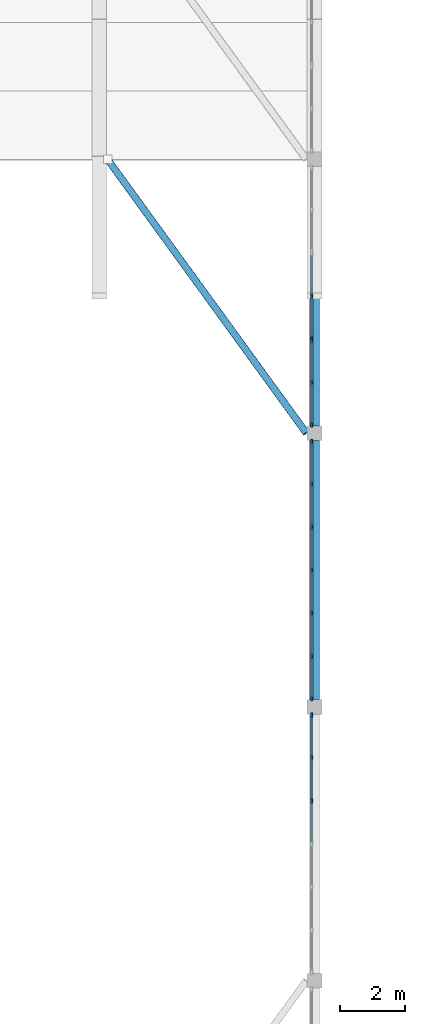
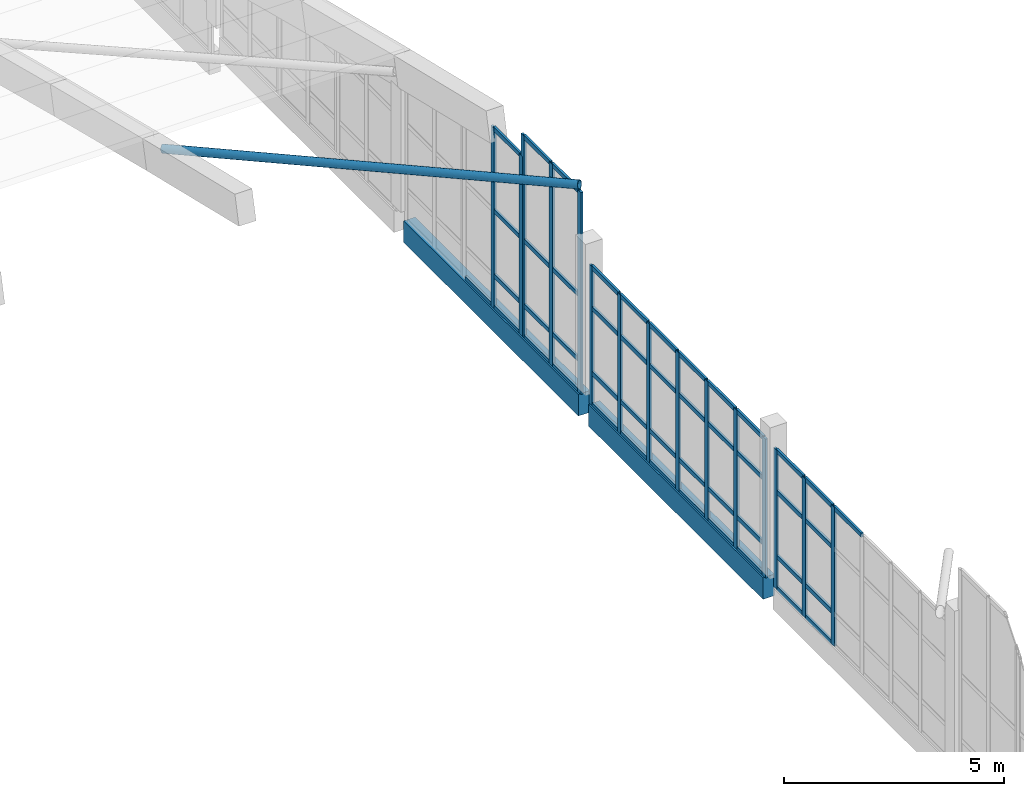
# One storey, part 10 of 78: 62 members, 2 beams, 4 elements without a shape of their own.
"""IFC4 building model written with IfcOpenShell, lengths in metres."""

from ifc_helpers import new_model, si_unit, direction, frame, origin, origin_2d, place, context, subcontext, project, spatial, rectangle, hollow_circle, extrude, material, material_profile, profile_set, type_object, element, aggregate, save


model = new_model("IFC4")

# Units and contexts
model_context = context("Model", 3, precision=1e-05, world=origin(), true_north=direction((0.0, 1.0)))
body_context = subcontext(model_context, "Body", "Model", "MODEL_VIEW")
ifc_project = project(units=[si_unit("LENGTHUNIT", "METRE"), si_unit("AREAUNIT", "SQUARE_METRE"), si_unit("VOLUMEUNIT", "CUBIC_METRE"), si_unit("PLANEANGLEUNIT", "RADIAN"), si_unit("MASSUNIT", "GRAM", prefix="KILO")], contexts=[model_context])

# Site, building, storey
site_placement = place(None, origin())
site = spatial("IfcSite", under=ifc_project, at=site_placement, CompositionType="ELEMENT")
building_placement = place(site_placement, origin())
building = spatial("IfcBuilding", under=site, at=building_placement, Name="Qaldarim Faculty of Natural and Applied Sciences", CompositionType="ELEMENT")
storey_placement = place(building_placement, frame((0.0, 0.0, 18.60009765625)))
storey = spatial("IfcBuildingStorey", under=building, at=storey_placement, Name="L04", CompositionType="ELEMENT", Elevation=18.60009765625)

# Curtain wall, members
ifc_material_1 = material(Name="Anodised aluminium AW-6063", Category="aluminium")
curtain_wall_type = type_object("IfcCurtainWallType", Name="CurtainWallSystem-M1300", PredefinedType="USERDEFINED", material=ifc_material_1)
curtain_wall_1_placement = place(storey_placement, origin())
curtain_wall_1 = element("IfcCurtainWall", 1, at=curtain_wall_1_placement, inside=storey, type_object=curtain_wall_type, Name="Curtain wall CW-GABLE-L04-E-Y06", ObjectType="STICK CURTAIN WALL", PredefinedType="USERDEFINED")
ifc_material_profile_1 = material_profile(ifc_material_1, rectangle(XDim=0.06005859375, YDim=0.14990234375, at=origin_2d()), Name="ALU-M60x150")
ifc_profile_set_1 = profile_set([ifc_material_profile_1], Name="Anodised aluminium AW-6063")
member_type_1 = type_object("IfcMemberType", Name="Mullion-ALU60x150", PredefinedType="MULLION", material=ifc_profile_set_1)
member_1_placement = place(storey_placement, frame((46.1201171875, 47.523193359375, -0.260009765625), z_axis=(0.0, 0.0, 1.0), x_axis=(-1.0, 0.0, 0.0)))
member_1 = element("IfcMember", 2, at=member_1_placement, type_object=member_type_1, Name="Mullion 5 of CW-GABLE-L04-E-Y06", PredefinedType="MULLION", context=body_context, shape_type="SweptSolid", body=[
    extrude(rectangle(XDim=0.06005859375, YDim=0.14990234375, at=origin_2d()), origin(), (0.0, 0.0, 1.0), 3.85986328125),
])
member_2_placement = place(storey_placement, frame((46.1201171875, 48.8466796875, -0.260009765625), z_axis=(0.0, 0.0, 1.0), x_axis=(-1.0, 0.0, 0.0)))
member_2 = element("IfcMember", 3, at=member_2_placement, type_object=member_type_1, Name="Mullion 6 of CW-GABLE-L04-E-Y06", PredefinedType="MULLION", context=body_context, shape_type="SweptSolid", body=[
    extrude(rectangle(XDim=0.06005859375, YDim=0.14990234375, at=origin_2d()), origin(), (0.0, 0.0, 1.0), 3.85986328125),
])
member_3_placement = place(storey_placement, frame((46.1201171875, 50.139892578125, -0.260009765625), z_axis=(0.0, 0.0, 1.0), x_axis=(-1.0, 0.0, 0.0)))
member_3 = element("IfcMember", 4, at=member_3_placement, type_object=member_type_1, Name="Mullion 7 of CW-GABLE-L04-E-Y06", PredefinedType="MULLION", context=body_context, shape_type="SweptSolid", body=[
    extrude(rectangle(XDim=0.06005859375, YDim=0.14990234375, at=origin_2d()), origin(), (0.0, 0.0, 1.0), 3.85986328125),
])

curtain_wall_2_placement = place(storey_placement, origin())
curtain_wall_2 = element("IfcCurtainWall", 5, at=curtain_wall_2_placement, inside=storey, type_object=curtain_wall_type, Name="Curtain wall CW-GABLE-L04-E-Y07", ObjectType="STICK CURTAIN WALL", PredefinedType="USERDEFINED")
member_4_placement = place(storey_placement, frame((46.1201171875, 50.659912109375, -0.260009765625), z_axis=(0.0, 0.0, 1.0), x_axis=(-1.0, 0.0, 0.0)))
member_4 = element("IfcMember", 6, at=member_4_placement, type_object=member_type_1, Name="Mullion 1 of CW-GABLE-L04-E-Y07", PredefinedType="MULLION", context=body_context, shape_type="SweptSolid", body=[
    extrude(rectangle(XDim=0.06005859375, YDim=0.14990234375, at=origin_2d()), origin(), (0.0, 0.0, 1.0), 3.85986328125),
])
member_5_placement = place(storey_placement, frame((46.1201171875, 51.953369140625, -0.260009765625), z_axis=(0.0, 0.0, 1.0), x_axis=(-1.0, 0.0, 0.0)))
member_5 = element("IfcMember", 7, at=member_5_placement, type_object=member_type_1, Name="Mullion 2 of CW-GABLE-L04-E-Y07", PredefinedType="MULLION", context=body_context, shape_type="SweptSolid", body=[
    extrude(rectangle(XDim=0.06005859375, YDim=0.14990234375, at=origin_2d()), origin(), (0.0, 0.0, 1.0), 3.85986328125),
])
member_6_placement = place(storey_placement, frame((46.1201171875, 53.276611328125, -0.260009765625), z_axis=(0.0, 0.0, 1.0), x_axis=(-1.0, 0.0, 0.0)))
member_6 = element("IfcMember", 8, at=member_6_placement, type_object=member_type_1, Name="Mullion 3 of CW-GABLE-L04-E-Y07", PredefinedType="MULLION", context=body_context, shape_type="SweptSolid", body=[
    extrude(rectangle(XDim=0.06005859375, YDim=0.14990234375, at=origin_2d()), origin(), (0.0, 0.0, 1.0), 3.85986328125),
])
member_7_placement = place(storey_placement, frame((46.1201171875, 54.60009765625, -0.260009765625), z_axis=(0.0, 0.0, 1.0), x_axis=(-1.0, 0.0, 0.0)))
member_7 = element("IfcMember", 9, at=member_7_placement, type_object=member_type_1, Name="Mullion 4 of CW-GABLE-L04-E-Y07", PredefinedType="MULLION", context=body_context, shape_type="SweptSolid", body=[
    extrude(rectangle(XDim=0.06005859375, YDim=0.14990234375, at=origin_2d()), origin(), (0.0, 0.0, 1.0), 3.85986328125),
])
member_8_placement = place(storey_placement, frame((46.1201171875, 55.92333984375, -0.260009765625), z_axis=(0.0, 0.0, 1.0), x_axis=(-1.0, 0.0, 0.0)))
member_8 = element("IfcMember", 10, at=member_8_placement, type_object=member_type_1, Name="Mullion 5 of CW-GABLE-L04-E-Y07", PredefinedType="MULLION", context=body_context, shape_type="SweptSolid", body=[
    extrude(rectangle(XDim=0.06005859375, YDim=0.14990234375, at=origin_2d()), origin(), (0.0, 0.0, 1.0), 3.85986328125),
])
member_9_placement = place(storey_placement, frame((46.1201171875, 57.24658203125, -0.260009765625), z_axis=(0.0, 0.0, 1.0), x_axis=(-1.0, 0.0, 0.0)))
member_9 = element("IfcMember", 11, at=member_9_placement, type_object=member_type_1, Name="Mullion 6 of CW-GABLE-L04-E-Y07", PredefinedType="MULLION", context=body_context, shape_type="SweptSolid", body=[
    extrude(rectangle(XDim=0.06005859375, YDim=0.14990234375, at=origin_2d()), origin(), (0.0, 0.0, 1.0), 3.85986328125),
])
member_10_placement = place(storey_placement, frame((46.1201171875, 58.5400390625, -0.260009765625), z_axis=(0.0, 0.0, 1.0), x_axis=(-1.0, 0.0, 0.0)))
member_10 = element("IfcMember", 12, at=member_10_placement, type_object=member_type_1, Name="Mullion 7 of CW-GABLE-L04-E-Y07", PredefinedType="MULLION", context=body_context, shape_type="SweptSolid", body=[
    extrude(rectangle(XDim=0.06005859375, YDim=0.14990234375, at=origin_2d()), origin(), (0.0, 0.0, 1.0), 3.85986328125),
])

curtain_wall_3_placement = place(storey_placement, origin())
curtain_wall_3 = element("IfcCurtainWall", 13, at=curtain_wall_3_placement, inside=storey, type_object=curtain_wall_type, Name="Curtain wall CW-GABLE-L04-E-Y08-1", ObjectType="STICK CURTAIN WALL", PredefinedType="USERDEFINED")
member_11_placement = place(storey_placement, frame((46.1201171875, 59.06005859375, -0.260009765625), z_axis=(0.0, 0.0, 1.0), x_axis=(-1.0, 0.0, 0.0)))
member_11 = element("IfcMember", 14, at=member_11_placement, type_object=member_type_1, Name="Mullion 1 of CW-GABLE-L04-E-Y08-1", PredefinedType="MULLION", context=body_context, shape_type="SweptSolid", body=[
    extrude(rectangle(XDim=0.06005859375, YDim=0.14990234375, at=origin_2d()), origin(), (0.0, 0.0, 1.0), 5.60986328125),
])
member_12_placement = place(storey_placement, frame((46.1201171875, 60.347412109375, -0.260009765625), z_axis=(0.0, 0.0, 1.0), x_axis=(-1.0, 0.0, 0.0)))
member_12 = element("IfcMember", 15, at=member_12_placement, type_object=member_type_1, Name="Mullion 2 of CW-GABLE-L04-E-Y08-1", PredefinedType="MULLION", context=body_context, shape_type="SweptSolid", body=[
    extrude(rectangle(XDim=0.06005859375, YDim=0.14990234375, at=origin_2d()), origin(), (0.0, 0.0, 1.0), 5.60986328125),
])
member_13_placement = place(storey_placement, frame((46.1201171875, 61.635009765625, -0.260009765625), z_axis=(0.0, 0.0, 1.0), x_axis=(-1.0, 0.0, 0.0)))
member_13 = element("IfcMember", 16, at=member_13_placement, type_object=member_type_1, Name="Mullion 3 of CW-GABLE-L04-E-Y08-1", PredefinedType="MULLION", context=body_context, shape_type="SweptSolid", body=[
    extrude(rectangle(XDim=0.06005859375, YDim=0.14990234375, at=origin_2d()), origin(), (0.0, 0.0, 1.0), 5.60986328125),
])

curtain_wall_4_placement = place(storey_placement, origin())
curtain_wall_4 = element("IfcCurtainWall", 17, at=curtain_wall_4_placement, inside=storey, type_object=curtain_wall_type, Name="Curtain wall CW-GABLE-L04-E-Y08-2", ObjectType="STICK CURTAIN WALL", PredefinedType="USERDEFINED")
member_14_placement = place(storey_placement, frame((46.1201171875, 61.715087890625, -0.260009765625), z_axis=(0.0, 0.0, 1.0), x_axis=(-1.0, 0.0, 0.0)))
member_14 = element("IfcMember", 18, at=member_14_placement, type_object=member_type_1, Name="Mullion 1 of CW-GABLE-L04-E-Y08-2", PredefinedType="MULLION", context=body_context, shape_type="SweptSolid", body=[
    extrude(rectangle(XDim=0.06005859375, YDim=0.14990234375, at=origin_2d()), origin(), (0.0, 0.0, 1.0), 5.0048828125),
])
member_15_placement = place(storey_placement, frame((46.1201171875, 63.00244140625, -0.260009765625), z_axis=(0.0, 0.0, 1.0), x_axis=(-1.0, 0.0, 0.0)))
member_15 = element("IfcMember", 19, at=member_15_placement, type_object=member_type_1, Name="Mullion 2 of CW-GABLE-L04-E-Y08-2", PredefinedType="MULLION", context=body_context, shape_type="SweptSolid", body=[
    extrude(rectangle(XDim=0.06005859375, YDim=0.14990234375, at=origin_2d()), origin(), (0.0, 0.0, 1.0), 5.0048828125),
])

# Member
ifc_material_2 = material(Name="Structural steel S355", Category="steel")
ifc_material_profile_2 = material_profile(ifc_material_2, hollow_circle(Radius=0.109619140625, WallThickness=0.012451171875, at=origin_2d()), Name="CHS 219.1x12.5")
ifc_profile_set_2 = profile_set([ifc_material_profile_2], Name="Structural steel S355")
member_type_2 = type_object("IfcMemberType", Name="ShellStrut-CHS219x12-5", PredefinedType="STRUT", material=ifc_profile_set_2)
member_16_placement = place(storey_placement, frame((39.85009765625, 67.199951171875, 3.77978515625), z_axis=(0.577390778594, -0.795105348342, 0.185546150143), x_axis=(0.809155894574, 0.587594025052, 0.0)))
element("IfcMember", 20, at=member_16_placement, inside=storey, type_object=member_type_2, Name="Shell wind strut bay 7 N3", PredefinedType="STRUT", context=body_context, shape_type="SweptSolid", body=[
    extrude(hollow_circle(Radius=0.109619140625, WallThickness=0.012451171875, at=origin_2d()), origin(), (0.0, 0.0, 1.0), 10.564453125),
])

# Beams
ifc_material_3 = material(Name="Precast concrete C40/50", Category="concrete")
ifc_material_profile_3 = material_profile(ifc_material_3, rectangle(XDim=0.300048828125, YDim=0.60009765625, at=origin_2d()), Name="RC-SP300x600")
ifc_profile_set_3 = profile_set([ifc_material_profile_3], Name="Precast concrete C40/50")
beam_type = type_object("IfcBeamType", Name="SpandrelBeam-RC300x600", PredefinedType="SPANDREL", material=ifc_profile_set_3)
beam_1_placement = place(storey_placement, frame((46.199951171875, 50.625, -0.56005859375), z_axis=(0.0, 1.0, 0.0), x_axis=(-1.0, 0.0, 0.0)))
element("IfcBeam", 21, at=beam_1_placement, inside=storey, type_object=beam_type, Name="Shell gable tie beam L03 X08/Y07-Y08", PredefinedType="SPANDREL", context=body_context, shape_type="SweptSolid", body=[
    extrude(rectangle(XDim=0.300048828125, YDim=0.60009765625, at=origin_2d()), origin(), (0.0, 0.0, 1.0), 7.949951171875),
])
beam_2_placement = place(storey_placement, frame((46.199951171875, 59.02490234375, -0.56005859375), z_axis=(0.0, 1.0, 0.0), x_axis=(-1.0, 0.0, 0.0)))
element("IfcBeam", 22, at=beam_2_placement, inside=storey, type_object=beam_type, Name="Shell gable tie beam L03 X08/Y08-Y09", PredefinedType="SPANDREL", context=body_context, shape_type="SweptSolid", body=[
    extrude(rectangle(XDim=0.300048828125, YDim=0.60009765625, at=origin_2d()), origin(), (0.0, 0.0, 1.0), 7.9501953125),
])

# Member
ifc_material_profile_4 = material_profile(ifc_material_1, rectangle(XDim=0.06005859375, YDim=0.1201171875, at=origin_2d()), Name="ALU-T60x120")
ifc_profile_set_4 = profile_set([ifc_material_profile_4], Name="Anodised aluminium AW-6063")
member_type_3 = type_object("IfcMemberType", Name="Transom-ALU60x120", PredefinedType="USERDEFINED", material=ifc_profile_set_4)
member_17_placement = place(storey_placement, frame((46.1201171875, 46.22998046875, 3.56982421875), z_axis=(0.0, 1.0, 0.0), x_axis=(-1.0, 0.0, 0.0)))
member_17 = element("IfcMember", 23, at=member_17_placement, type_object=member_type_3, Name="Transom 4-4 of CW-GABLE-L04-E-Y06", ObjectType="TRANSOM", PredefinedType="USERDEFINED", context=body_context, shape_type="SweptSolid", body=[
    extrude(rectangle(XDim=0.06005859375, YDim=0.1201171875, at=origin_2d()), origin(), (0.0, 0.0, 1.0), 1.263427734375),
])

member_18_placement = place(storey_placement, frame((46.1201171875, 47.55322265625, -0.22998046875), z_axis=(0.0, 1.0, 0.0), x_axis=(-1.0, 0.0, 0.0)))
member_18 = element("IfcMember", 24, at=member_18_placement, type_object=member_type_3, Name="Transom 5-1 of CW-GABLE-L04-E-Y06", ObjectType="TRANSOM", PredefinedType="USERDEFINED", context=body_context, shape_type="SweptSolid", body=[
    extrude(rectangle(XDim=0.06005859375, YDim=0.1201171875, at=origin_2d()), origin(), (0.0, 0.0, 1.0), 1.263427734375),
])

member_19_placement = place(storey_placement, frame((46.1201171875, 47.55322265625, 0.639892578125), z_axis=(0.0, 1.0, 0.0), x_axis=(-1.0, 0.0, 0.0)))
member_19 = element("IfcMember", 25, at=member_19_placement, type_object=member_type_3, Name="Transom 5-2 of CW-GABLE-L04-E-Y06", ObjectType="TRANSOM", PredefinedType="USERDEFINED", context=body_context, shape_type="SweptSolid", body=[
    extrude(rectangle(XDim=0.06005859375, YDim=0.1201171875, at=origin_2d()), origin(), (0.0, 0.0, 1.0), 1.263427734375),
])

member_20_placement = place(storey_placement, frame((46.1201171875, 47.55322265625, 2.43994140625), z_axis=(0.0, 1.0, 0.0), x_axis=(-1.0, 0.0, 0.0)))
member_20 = element("IfcMember", 26, at=member_20_placement, type_object=member_type_3, Name="Transom 5-3 of CW-GABLE-L04-E-Y06", ObjectType="TRANSOM", PredefinedType="USERDEFINED", context=body_context, shape_type="SweptSolid", body=[
    extrude(rectangle(XDim=0.06005859375, YDim=0.1201171875, at=origin_2d()), origin(), (0.0, 0.0, 1.0), 1.263427734375),
])

member_21_placement = place(storey_placement, frame((46.1201171875, 47.55322265625, 3.56982421875), z_axis=(0.0, 1.0, 0.0), x_axis=(-1.0, 0.0, 0.0)))
member_21 = element("IfcMember", 27, at=member_21_placement, type_object=member_type_3, Name="Transom 5-4 of CW-GABLE-L04-E-Y06", ObjectType="TRANSOM", PredefinedType="USERDEFINED", context=body_context, shape_type="SweptSolid", body=[
    extrude(rectangle(XDim=0.06005859375, YDim=0.1201171875, at=origin_2d()), origin(), (0.0, 0.0, 1.0), 1.263427734375),
])

member_22_placement = place(storey_placement, frame((46.1201171875, 48.876708984375, -0.22998046875), z_axis=(0.0, 1.0, 0.0), x_axis=(-1.0, 0.0, 0.0)))
member_22 = element("IfcMember", 28, at=member_22_placement, type_object=member_type_3, Name="Transom 6-1 of CW-GABLE-L04-E-Y06", ObjectType="TRANSOM", PredefinedType="USERDEFINED", context=body_context, shape_type="SweptSolid", body=[
    extrude(rectangle(XDim=0.06005859375, YDim=0.1201171875, at=origin_2d()), origin(), (0.0, 0.0, 1.0), 1.2333984375),
])

member_23_placement = place(storey_placement, frame((46.1201171875, 48.876708984375, 0.639892578125), z_axis=(0.0, 1.0, 0.0), x_axis=(-1.0, 0.0, 0.0)))
member_23 = element("IfcMember", 29, at=member_23_placement, type_object=member_type_3, Name="Transom 6-2 of CW-GABLE-L04-E-Y06", ObjectType="TRANSOM", PredefinedType="USERDEFINED", context=body_context, shape_type="SweptSolid", body=[
    extrude(rectangle(XDim=0.06005859375, YDim=0.1201171875, at=origin_2d()), origin(), (0.0, 0.0, 1.0), 1.2333984375),
])

member_24_placement = place(storey_placement, frame((46.1201171875, 48.876708984375, 2.43994140625), z_axis=(0.0, 1.0, 0.0), x_axis=(-1.0, 0.0, 0.0)))
member_24 = element("IfcMember", 30, at=member_24_placement, type_object=member_type_3, Name="Transom 6-3 of CW-GABLE-L04-E-Y06", ObjectType="TRANSOM", PredefinedType="USERDEFINED", context=body_context, shape_type="SweptSolid", body=[
    extrude(rectangle(XDim=0.06005859375, YDim=0.1201171875, at=origin_2d()), origin(), (0.0, 0.0, 1.0), 1.2333984375),
])

member_25_placement = place(storey_placement, frame((46.1201171875, 48.876708984375, 3.56982421875), z_axis=(0.0, 1.0, 0.0), x_axis=(-1.0, 0.0, 0.0)))
member_25 = element("IfcMember", 31, at=member_25_placement, type_object=member_type_3, Name="Transom 6-4 of CW-GABLE-L04-E-Y06", ObjectType="TRANSOM", PredefinedType="USERDEFINED", context=body_context, shape_type="SweptSolid", body=[
    extrude(rectangle(XDim=0.06005859375, YDim=0.1201171875, at=origin_2d()), origin(), (0.0, 0.0, 1.0), 1.2333984375),
])

aggregate(curtain_wall_1, [member_1, member_2, member_3, member_17, member_18, member_19, member_20, member_21, member_22, member_23, member_24, member_25])

member_26_placement = place(storey_placement, frame((46.1201171875, 50.68994140625, -0.22998046875), z_axis=(0.0, 1.0, 0.0), x_axis=(-1.0, 0.0, 0.0)))
member_26 = element("IfcMember", 32, at=member_26_placement, type_object=member_type_3, Name="Transom 1-1 of CW-GABLE-L04-E-Y07", ObjectType="TRANSOM", PredefinedType="USERDEFINED", context=body_context, shape_type="SweptSolid", body=[
    extrude(rectangle(XDim=0.06005859375, YDim=0.1201171875, at=origin_2d()), origin(), (0.0, 0.0, 1.0), 1.2333984375),
])

member_27_placement = place(storey_placement, frame((46.1201171875, 50.68994140625, 0.639892578125), z_axis=(0.0, 1.0, 0.0), x_axis=(-1.0, 0.0, 0.0)))
member_27 = element("IfcMember", 33, at=member_27_placement, type_object=member_type_3, Name="Transom 1-2 of CW-GABLE-L04-E-Y07", ObjectType="TRANSOM", PredefinedType="USERDEFINED", context=body_context, shape_type="SweptSolid", body=[
    extrude(rectangle(XDim=0.06005859375, YDim=0.1201171875, at=origin_2d()), origin(), (0.0, 0.0, 1.0), 1.2333984375),
])

member_28_placement = place(storey_placement, frame((46.1201171875, 50.68994140625, 2.43994140625), z_axis=(0.0, 1.0, 0.0), x_axis=(-1.0, 0.0, 0.0)))
member_28 = element("IfcMember", 34, at=member_28_placement, type_object=member_type_3, Name="Transom 1-3 of CW-GABLE-L04-E-Y07", ObjectType="TRANSOM", PredefinedType="USERDEFINED", context=body_context, shape_type="SweptSolid", body=[
    extrude(rectangle(XDim=0.06005859375, YDim=0.1201171875, at=origin_2d()), origin(), (0.0, 0.0, 1.0), 1.2333984375),
])

member_29_placement = place(storey_placement, frame((46.1201171875, 50.68994140625, 3.56982421875), z_axis=(0.0, 1.0, 0.0), x_axis=(-1.0, 0.0, 0.0)))
member_29 = element("IfcMember", 35, at=member_29_placement, type_object=member_type_3, Name="Transom 1-4 of CW-GABLE-L04-E-Y07", ObjectType="TRANSOM", PredefinedType="USERDEFINED", context=body_context, shape_type="SweptSolid", body=[
    extrude(rectangle(XDim=0.06005859375, YDim=0.1201171875, at=origin_2d()), origin(), (0.0, 0.0, 1.0), 1.2333984375),
])

member_30_placement = place(storey_placement, frame((46.1201171875, 51.9833984375, -0.22998046875), z_axis=(0.0, 1.0, 0.0), x_axis=(-1.0, 0.0, 0.0)))
member_30 = element("IfcMember", 36, at=member_30_placement, type_object=member_type_3, Name="Transom 2-1 of CW-GABLE-L04-E-Y07", ObjectType="TRANSOM", PredefinedType="USERDEFINED", context=body_context, shape_type="SweptSolid", body=[
    extrude(rectangle(XDim=0.06005859375, YDim=0.1201171875, at=origin_2d()), origin(), (0.0, 0.0, 1.0), 1.26318359375),
])

member_31_placement = place(storey_placement, frame((46.1201171875, 51.9833984375, 0.639892578125), z_axis=(0.0, 1.0, 0.0), x_axis=(-1.0, 0.0, 0.0)))
member_31 = element("IfcMember", 37, at=member_31_placement, type_object=member_type_3, Name="Transom 2-2 of CW-GABLE-L04-E-Y07", ObjectType="TRANSOM", PredefinedType="USERDEFINED", context=body_context, shape_type="SweptSolid", body=[
    extrude(rectangle(XDim=0.06005859375, YDim=0.1201171875, at=origin_2d()), origin(), (0.0, 0.0, 1.0), 1.26318359375),
])

member_32_placement = place(storey_placement, frame((46.1201171875, 51.9833984375, 2.43994140625), z_axis=(0.0, 1.0, 0.0), x_axis=(-1.0, 0.0, 0.0)))
member_32 = element("IfcMember", 38, at=member_32_placement, type_object=member_type_3, Name="Transom 2-3 of CW-GABLE-L04-E-Y07", ObjectType="TRANSOM", PredefinedType="USERDEFINED", context=body_context, shape_type="SweptSolid", body=[
    extrude(rectangle(XDim=0.06005859375, YDim=0.1201171875, at=origin_2d()), origin(), (0.0, 0.0, 1.0), 1.26318359375),
])

member_33_placement = place(storey_placement, frame((46.1201171875, 51.9833984375, 3.56982421875), z_axis=(0.0, 1.0, 0.0), x_axis=(-1.0, 0.0, 0.0)))
member_33 = element("IfcMember", 39, at=member_33_placement, type_object=member_type_3, Name="Transom 2-4 of CW-GABLE-L04-E-Y07", ObjectType="TRANSOM", PredefinedType="USERDEFINED", context=body_context, shape_type="SweptSolid", body=[
    extrude(rectangle(XDim=0.06005859375, YDim=0.1201171875, at=origin_2d()), origin(), (0.0, 0.0, 1.0), 1.26318359375),
])

member_34_placement = place(storey_placement, frame((46.1201171875, 53.306640625, -0.22998046875), z_axis=(0.0, 1.0, 0.0), x_axis=(-1.0, 0.0, 0.0)))
member_34 = element("IfcMember", 40, at=member_34_placement, type_object=member_type_3, Name="Transom 3-1 of CW-GABLE-L04-E-Y07", ObjectType="TRANSOM", PredefinedType="USERDEFINED", context=body_context, shape_type="SweptSolid", body=[
    extrude(rectangle(XDim=0.06005859375, YDim=0.1201171875, at=origin_2d()), origin(), (0.0, 0.0, 1.0), 1.263427734375),
])

member_35_placement = place(storey_placement, frame((46.1201171875, 53.306640625, 0.639892578125), z_axis=(0.0, 1.0, 0.0), x_axis=(-1.0, 0.0, 0.0)))
member_35 = element("IfcMember", 41, at=member_35_placement, type_object=member_type_3, Name="Transom 3-2 of CW-GABLE-L04-E-Y07", ObjectType="TRANSOM", PredefinedType="USERDEFINED", context=body_context, shape_type="SweptSolid", body=[
    extrude(rectangle(XDim=0.06005859375, YDim=0.1201171875, at=origin_2d()), origin(), (0.0, 0.0, 1.0), 1.263427734375),
])

member_36_placement = place(storey_placement, frame((46.1201171875, 53.306640625, 2.43994140625), z_axis=(0.0, 1.0, 0.0), x_axis=(-1.0, 0.0, 0.0)))
member_36 = element("IfcMember", 42, at=member_36_placement, type_object=member_type_3, Name="Transom 3-3 of CW-GABLE-L04-E-Y07", ObjectType="TRANSOM", PredefinedType="USERDEFINED", context=body_context, shape_type="SweptSolid", body=[
    extrude(rectangle(XDim=0.06005859375, YDim=0.1201171875, at=origin_2d()), origin(), (0.0, 0.0, 1.0), 1.263427734375),
])

member_37_placement = place(storey_placement, frame((46.1201171875, 53.306640625, 3.56982421875), z_axis=(0.0, 1.0, 0.0), x_axis=(-1.0, 0.0, 0.0)))
member_37 = element("IfcMember", 43, at=member_37_placement, type_object=member_type_3, Name="Transom 3-4 of CW-GABLE-L04-E-Y07", ObjectType="TRANSOM", PredefinedType="USERDEFINED", context=body_context, shape_type="SweptSolid", body=[
    extrude(rectangle(XDim=0.06005859375, YDim=0.1201171875, at=origin_2d()), origin(), (0.0, 0.0, 1.0), 1.263427734375),
])

member_38_placement = place(storey_placement, frame((46.1201171875, 54.6298828125, -0.22998046875), z_axis=(0.0, 1.0, 0.0), x_axis=(-1.0, 0.0, 0.0)))
member_38 = element("IfcMember", 44, at=member_38_placement, type_object=member_type_3, Name="Transom 4-1 of CW-GABLE-L04-E-Y07", ObjectType="TRANSOM", PredefinedType="USERDEFINED", context=body_context, shape_type="SweptSolid", body=[
    extrude(rectangle(XDim=0.06005859375, YDim=0.1201171875, at=origin_2d()), origin(), (0.0, 0.0, 1.0), 1.263427734375),
])

member_39_placement = place(storey_placement, frame((46.1201171875, 54.6298828125, 0.639892578125), z_axis=(0.0, 1.0, 0.0), x_axis=(-1.0, 0.0, 0.0)))
member_39 = element("IfcMember", 45, at=member_39_placement, type_object=member_type_3, Name="Transom 4-2 of CW-GABLE-L04-E-Y07", ObjectType="TRANSOM", PredefinedType="USERDEFINED", context=body_context, shape_type="SweptSolid", body=[
    extrude(rectangle(XDim=0.06005859375, YDim=0.1201171875, at=origin_2d()), origin(), (0.0, 0.0, 1.0), 1.263427734375),
])

member_40_placement = place(storey_placement, frame((46.1201171875, 54.6298828125, 2.43994140625), z_axis=(0.0, 1.0, 0.0), x_axis=(-1.0, 0.0, 0.0)))
member_40 = element("IfcMember", 46, at=member_40_placement, type_object=member_type_3, Name="Transom 4-3 of CW-GABLE-L04-E-Y07", ObjectType="TRANSOM", PredefinedType="USERDEFINED", context=body_context, shape_type="SweptSolid", body=[
    extrude(rectangle(XDim=0.06005859375, YDim=0.1201171875, at=origin_2d()), origin(), (0.0, 0.0, 1.0), 1.263427734375),
])

member_41_placement = place(storey_placement, frame((46.1201171875, 54.6298828125, 3.56982421875), z_axis=(0.0, 1.0, 0.0), x_axis=(-1.0, 0.0, 0.0)))
member_41 = element("IfcMember", 47, at=member_41_placement, type_object=member_type_3, Name="Transom 4-4 of CW-GABLE-L04-E-Y07", ObjectType="TRANSOM", PredefinedType="USERDEFINED", context=body_context, shape_type="SweptSolid", body=[
    extrude(rectangle(XDim=0.06005859375, YDim=0.1201171875, at=origin_2d()), origin(), (0.0, 0.0, 1.0), 1.263427734375),
])

member_42_placement = place(storey_placement, frame((46.1201171875, 55.953369140625, -0.22998046875), z_axis=(0.0, 1.0, 0.0), x_axis=(-1.0, 0.0, 0.0)))
member_42 = element("IfcMember", 48, at=member_42_placement, type_object=member_type_3, Name="Transom 5-1 of CW-GABLE-L04-E-Y07", ObjectType="TRANSOM", PredefinedType="USERDEFINED", context=body_context, shape_type="SweptSolid", body=[
    extrude(rectangle(XDim=0.06005859375, YDim=0.1201171875, at=origin_2d()), origin(), (0.0, 0.0, 1.0), 1.263427734375),
])

member_43_placement = place(storey_placement, frame((46.1201171875, 55.953369140625, 0.639892578125), z_axis=(0.0, 1.0, 0.0), x_axis=(-1.0, 0.0, 0.0)))
member_43 = element("IfcMember", 49, at=member_43_placement, type_object=member_type_3, Name="Transom 5-2 of CW-GABLE-L04-E-Y07", ObjectType="TRANSOM", PredefinedType="USERDEFINED", context=body_context, shape_type="SweptSolid", body=[
    extrude(rectangle(XDim=0.06005859375, YDim=0.1201171875, at=origin_2d()), origin(), (0.0, 0.0, 1.0), 1.263427734375),
])

member_44_placement = place(storey_placement, frame((46.1201171875, 55.953369140625, 2.43994140625), z_axis=(0.0, 1.0, 0.0), x_axis=(-1.0, 0.0, 0.0)))
member_44 = element("IfcMember", 50, at=member_44_placement, type_object=member_type_3, Name="Transom 5-3 of CW-GABLE-L04-E-Y07", ObjectType="TRANSOM", PredefinedType="USERDEFINED", context=body_context, shape_type="SweptSolid", body=[
    extrude(rectangle(XDim=0.06005859375, YDim=0.1201171875, at=origin_2d()), origin(), (0.0, 0.0, 1.0), 1.263427734375),
])

member_45_placement = place(storey_placement, frame((46.1201171875, 55.953369140625, 3.56982421875), z_axis=(0.0, 1.0, 0.0), x_axis=(-1.0, 0.0, 0.0)))
member_45 = element("IfcMember", 51, at=member_45_placement, type_object=member_type_3, Name="Transom 5-4 of CW-GABLE-L04-E-Y07", ObjectType="TRANSOM", PredefinedType="USERDEFINED", context=body_context, shape_type="SweptSolid", body=[
    extrude(rectangle(XDim=0.06005859375, YDim=0.1201171875, at=origin_2d()), origin(), (0.0, 0.0, 1.0), 1.263427734375),
])

member_46_placement = place(storey_placement, frame((46.1201171875, 57.276611328125, -0.22998046875), z_axis=(0.0, 1.0, 0.0), x_axis=(-1.0, 0.0, 0.0)))
member_46 = element("IfcMember", 52, at=member_46_placement, type_object=member_type_3, Name="Transom 6-1 of CW-GABLE-L04-E-Y07", ObjectType="TRANSOM", PredefinedType="USERDEFINED", context=body_context, shape_type="SweptSolid", body=[
    extrude(rectangle(XDim=0.06005859375, YDim=0.1201171875, at=origin_2d()), origin(), (0.0, 0.0, 1.0), 1.2333984375),
])

member_47_placement = place(storey_placement, frame((46.1201171875, 57.276611328125, 0.639892578125), z_axis=(0.0, 1.0, 0.0), x_axis=(-1.0, 0.0, 0.0)))
member_47 = element("IfcMember", 53, at=member_47_placement, type_object=member_type_3, Name="Transom 6-2 of CW-GABLE-L04-E-Y07", ObjectType="TRANSOM", PredefinedType="USERDEFINED", context=body_context, shape_type="SweptSolid", body=[
    extrude(rectangle(XDim=0.06005859375, YDim=0.1201171875, at=origin_2d()), origin(), (0.0, 0.0, 1.0), 1.2333984375),
])

member_48_placement = place(storey_placement, frame((46.1201171875, 57.276611328125, 2.43994140625), z_axis=(0.0, 1.0, 0.0), x_axis=(-1.0, 0.0, 0.0)))
member_48 = element("IfcMember", 54, at=member_48_placement, type_object=member_type_3, Name="Transom 6-3 of CW-GABLE-L04-E-Y07", ObjectType="TRANSOM", PredefinedType="USERDEFINED", context=body_context, shape_type="SweptSolid", body=[
    extrude(rectangle(XDim=0.06005859375, YDim=0.1201171875, at=origin_2d()), origin(), (0.0, 0.0, 1.0), 1.2333984375),
])

member_49_placement = place(storey_placement, frame((46.1201171875, 57.276611328125, 3.56982421875), z_axis=(0.0, 1.0, 0.0), x_axis=(-1.0, 0.0, 0.0)))
member_49 = element("IfcMember", 55, at=member_49_placement, type_object=member_type_3, Name="Transom 6-4 of CW-GABLE-L04-E-Y07", ObjectType="TRANSOM", PredefinedType="USERDEFINED", context=body_context, shape_type="SweptSolid", body=[
    extrude(rectangle(XDim=0.06005859375, YDim=0.1201171875, at=origin_2d()), origin(), (0.0, 0.0, 1.0), 1.2333984375),
])

aggregate(curtain_wall_2, [member_4, member_5, member_6, member_7, member_8, member_9, member_10, member_26, member_27, member_28, member_29, member_30, member_31, member_32, member_33, member_34, member_35, member_36, member_37, member_38, member_39, member_40, member_41, member_42, member_43, member_44, member_45, member_46, member_47, member_48, member_49])

member_50_placement = place(storey_placement, frame((46.1201171875, 59.090087890625, -0.22998046875), z_axis=(0.0, 1.0, 0.0), x_axis=(-1.0, 0.0, 0.0)))
member_50 = element("IfcMember", 56, at=member_50_placement, type_object=member_type_3, Name="Transom 1-1 of CW-GABLE-L04-E-Y08-1", ObjectType="TRANSOM", PredefinedType="USERDEFINED", context=body_context, shape_type="SweptSolid", body=[
    extrude(rectangle(XDim=0.06005859375, YDim=0.1201171875, at=origin_2d()), origin(), (0.0, 0.0, 1.0), 1.227294921875),
])

member_51_placement = place(storey_placement, frame((46.1201171875, 59.090087890625, 0.639892578125), z_axis=(0.0, 1.0, 0.0), x_axis=(-1.0, 0.0, 0.0)))
member_51 = element("IfcMember", 57, at=member_51_placement, type_object=member_type_3, Name="Transom 1-2 of CW-GABLE-L04-E-Y08-1", ObjectType="TRANSOM", PredefinedType="USERDEFINED", context=body_context, shape_type="SweptSolid", body=[
    extrude(rectangle(XDim=0.06005859375, YDim=0.1201171875, at=origin_2d()), origin(), (0.0, 0.0, 1.0), 1.227294921875),
])

member_52_placement = place(storey_placement, frame((46.1201171875, 59.090087890625, 2.43994140625), z_axis=(0.0, 1.0, 0.0), x_axis=(-1.0, 0.0, 0.0)))
member_52 = element("IfcMember", 58, at=member_52_placement, type_object=member_type_3, Name="Transom 1-3 of CW-GABLE-L04-E-Y08-1", ObjectType="TRANSOM", PredefinedType="USERDEFINED", context=body_context, shape_type="SweptSolid", body=[
    extrude(rectangle(XDim=0.06005859375, YDim=0.1201171875, at=origin_2d()), origin(), (0.0, 0.0, 1.0), 1.227294921875),
])

member_53_placement = place(storey_placement, frame((46.1201171875, 59.090087890625, 5.31982421875), z_axis=(0.0, 1.0, 0.0), x_axis=(-1.0, 0.0, 0.0)))
member_53 = element("IfcMember", 59, at=member_53_placement, type_object=member_type_3, Name="Transom 1-4 of CW-GABLE-L04-E-Y08-1", ObjectType="TRANSOM", PredefinedType="USERDEFINED", context=body_context, shape_type="SweptSolid", body=[
    extrude(rectangle(XDim=0.06005859375, YDim=0.1201171875, at=origin_2d()), origin(), (0.0, 0.0, 1.0), 1.227294921875),
])

member_54_placement = place(storey_placement, frame((46.1201171875, 60.37744140625, -0.22998046875), z_axis=(0.0, 1.0, 0.0), x_axis=(-1.0, 0.0, 0.0)))
member_54 = element("IfcMember", 60, at=member_54_placement, type_object=member_type_3, Name="Transom 2-1 of CW-GABLE-L04-E-Y08-1", ObjectType="TRANSOM", PredefinedType="USERDEFINED", context=body_context, shape_type="SweptSolid", body=[
    extrude(rectangle(XDim=0.06005859375, YDim=0.1201171875, at=origin_2d()), origin(), (0.0, 0.0, 1.0), 1.2275390625),
])

member_55_placement = place(storey_placement, frame((46.1201171875, 60.37744140625, 0.639892578125), z_axis=(0.0, 1.0, 0.0), x_axis=(-1.0, 0.0, 0.0)))
member_55 = element("IfcMember", 61, at=member_55_placement, type_object=member_type_3, Name="Transom 2-2 of CW-GABLE-L04-E-Y08-1", ObjectType="TRANSOM", PredefinedType="USERDEFINED", context=body_context, shape_type="SweptSolid", body=[
    extrude(rectangle(XDim=0.06005859375, YDim=0.1201171875, at=origin_2d()), origin(), (0.0, 0.0, 1.0), 1.2275390625),
])

member_56_placement = place(storey_placement, frame((46.1201171875, 60.37744140625, 2.43994140625), z_axis=(0.0, 1.0, 0.0), x_axis=(-1.0, 0.0, 0.0)))
member_56 = element("IfcMember", 62, at=member_56_placement, type_object=member_type_3, Name="Transom 2-3 of CW-GABLE-L04-E-Y08-1", ObjectType="TRANSOM", PredefinedType="USERDEFINED", context=body_context, shape_type="SweptSolid", body=[
    extrude(rectangle(XDim=0.06005859375, YDim=0.1201171875, at=origin_2d()), origin(), (0.0, 0.0, 1.0), 1.2275390625),
])

member_57_placement = place(storey_placement, frame((46.1201171875, 60.37744140625, 5.31982421875), z_axis=(0.0, 1.0, 0.0), x_axis=(-1.0, 0.0, 0.0)))
member_57 = element("IfcMember", 63, at=member_57_placement, type_object=member_type_3, Name="Transom 2-4 of CW-GABLE-L04-E-Y08-1", ObjectType="TRANSOM", PredefinedType="USERDEFINED", context=body_context, shape_type="SweptSolid", body=[
    extrude(rectangle(XDim=0.06005859375, YDim=0.1201171875, at=origin_2d()), origin(), (0.0, 0.0, 1.0), 1.2275390625),
])

aggregate(curtain_wall_3, [member_11, member_12, member_13, member_50, member_51, member_52, member_53, member_54, member_55, member_56, member_57])

member_58_placement = place(storey_placement, frame((46.1201171875, 61.7451171875, -0.22998046875), z_axis=(0.0, 1.0, 0.0), x_axis=(-1.0, 0.0, 0.0)))
member_58 = element("IfcMember", 64, at=member_58_placement, type_object=member_type_3, Name="Transom 1-1 of CW-GABLE-L04-E-Y08-2", ObjectType="TRANSOM", PredefinedType="USERDEFINED", context=body_context, shape_type="SweptSolid", body=[
    extrude(rectangle(XDim=0.06005859375, YDim=0.1201171875, at=origin_2d()), origin(), (0.0, 0.0, 1.0), 1.227294921875),
])

member_59_placement = place(storey_placement, frame((46.1201171875, 61.7451171875, 0.639892578125), z_axis=(0.0, 1.0, 0.0), x_axis=(-1.0, 0.0, 0.0)))
member_59 = element("IfcMember", 65, at=member_59_placement, type_object=member_type_3, Name="Transom 1-2 of CW-GABLE-L04-E-Y08-2", ObjectType="TRANSOM", PredefinedType="USERDEFINED", context=body_context, shape_type="SweptSolid", body=[
    extrude(rectangle(XDim=0.06005859375, YDim=0.1201171875, at=origin_2d()), origin(), (0.0, 0.0, 1.0), 1.227294921875),
])

member_60_placement = place(storey_placement, frame((46.1201171875, 61.7451171875, 2.43994140625), z_axis=(0.0, 1.0, 0.0), x_axis=(-1.0, 0.0, 0.0)))
member_60 = element("IfcMember", 66, at=member_60_placement, type_object=member_type_3, Name="Transom 1-3 of CW-GABLE-L04-E-Y08-2", ObjectType="TRANSOM", PredefinedType="USERDEFINED", context=body_context, shape_type="SweptSolid", body=[
    extrude(rectangle(XDim=0.06005859375, YDim=0.1201171875, at=origin_2d()), origin(), (0.0, 0.0, 1.0), 1.227294921875),
])

member_61_placement = place(storey_placement, frame((46.1201171875, 61.7451171875, 4.71484375), z_axis=(0.0, 1.0, 0.0), x_axis=(-1.0, 0.0, 0.0)))
member_61 = element("IfcMember", 67, at=member_61_placement, type_object=member_type_3, Name="Transom 1-4 of CW-GABLE-L04-E-Y08-2", ObjectType="TRANSOM", PredefinedType="USERDEFINED", context=body_context, shape_type="SweptSolid", body=[
    extrude(rectangle(XDim=0.06005859375, YDim=0.1201171875, at=origin_2d()), origin(), (0.0, 0.0, 1.0), 1.227294921875),
])

member_62_placement = place(storey_placement, frame((46.1201171875, 63.032470703125, -0.22998046875), z_axis=(0.0, 1.0, 0.0), x_axis=(-1.0, 0.0, 0.0)))
member_62 = element("IfcMember", 68, at=member_62_placement, type_object=member_type_3, Name="Transom 2-1 of CW-GABLE-L04-E-Y08-2", ObjectType="TRANSOM", PredefinedType="USERDEFINED", context=body_context, shape_type="SweptSolid", body=[
    extrude(rectangle(XDim=0.06005859375, YDim=0.1201171875, at=origin_2d()), origin(), (0.0, 0.0, 1.0), 1.2275390625),
])

aggregate(curtain_wall_4, [member_14, member_15, member_58, member_59, member_60, member_61, member_62])

save(model, "model.ifc")
